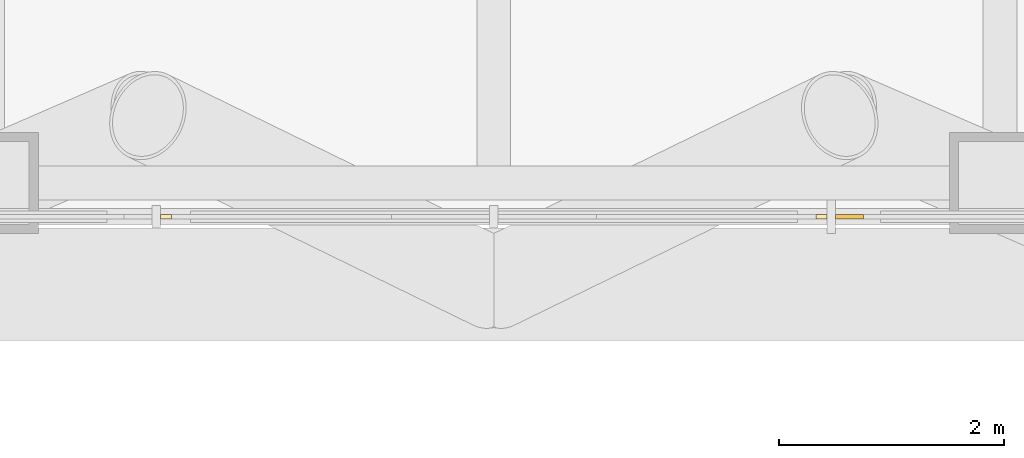
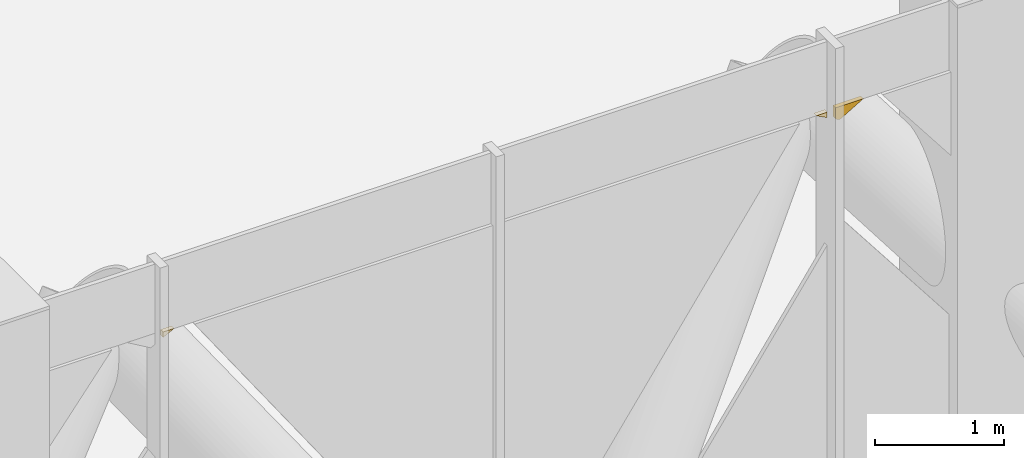
# One storey, part 19 of 26: 3 coverings.
"""IFC4 building model written with IfcOpenShell, lengths in metres."""

from ifc_helpers import new_model, si_unit, direction, frame, origin, place, context, subcontext, project, spatial, polyline, outline, extrude, material, layer, layer_set, type_object, element, save


model = new_model("IFC4")

# Units and contexts
model_context = context("Model", 3, precision=1e-05, world=origin(), true_north=direction((0.0, 1.0)))
body_context = subcontext(model_context, "Body", "Model", "MODEL_VIEW")
ifc_project = project(units=[si_unit("LENGTHUNIT", "METRE"), si_unit("AREAUNIT", "SQUARE_METRE"), si_unit("VOLUMEUNIT", "CUBIC_METRE"), si_unit("PLANEANGLEUNIT", "RADIAN"), si_unit("MASSUNIT", "GRAM", prefix="KILO")], contexts=[model_context])

# Site, building, storey
site_placement = place(None, origin())
site = spatial("IfcSite", under=ifc_project, at=site_placement, CompositionType="ELEMENT")
building_placement = place(site_placement, origin())
building = spatial("IfcBuilding", under=site, at=building_placement, Name="Malebo Sky Hospital", CompositionType="ELEMENT")
storey_placement = place(building_placement, frame((0.0, 0.0, 95.0)))
storey = spatial("IfcBuildingStorey", under=building, at=storey_placement, Name="L22", CompositionType="ELEMENT", Elevation=95.0)

# Coverings
ifc_material = material(Name="Anodised aluminium, natural silver insulated infill panel", Category="aluminium")
ifc_layer = layer(ifc_material, 0.0400390625)
ifc_layer_set = layer_set([ifc_layer], Name="BRACE INFILL PANEL 40")
covering_type = type_object("IfcCoveringType", Name="BRACE INFILL PANEL 40", PredefinedType="CLADDING", material=ifc_layer_set)
covering_1_placement = place(storey_placement, frame((63.16162109375, 36.5, 4.21337890625), z_axis=(0.0, 0.0, 1.0), x_axis=(-1.0, 0.0, 0.0)))
element("IfcCovering", 1, at=covering_1_placement, inside=storey, type_object=covering_type, Name="Brace infill panel 6.3", PredefinedType="CLADDING", context=body_context, shape_type="SweptSolid", body=[
    extrude(outline(polyline([(0.08837890625, 0.0), (0.1240234375, 0.018798828125), (0.1240234375, 0.124755859375), (-0.1240234375, 0.124755859375), (0.08837890625, 0.0)])), frame((0.0, 0.02001953125, 0.0), z_axis=(0.0, -1.0, 0.0), x_axis=(1.0, 0.0, 0.0)), (0.0, 0.0, 1.0), 0.0400390625),
])
covering_2_placement = place(storey_placement, frame((62.9140625, 36.5, 4.27197265625), z_axis=(0.0, 0.0, 1.0), x_axis=(-1.0, 0.0, 0.0)))
element("IfcCovering", 2, at=covering_2_placement, inside=storey, type_object=covering_type, Name="Brace infill panel 7.3", PredefinedType="CLADDING", context=body_context, shape_type="SweptSolid", body=[
    extrude(outline(polyline([(-0.048583984375, 0.0), (0.048583984375, 0.051513671875), (-0.048583984375, 0.051513671875), (-0.048583984375, 0.0)])), frame((0.0, 0.02001953125, 0.0), z_axis=(0.0, -1.0, 0.0), x_axis=(1.0, 0.0, 0.0)), (0.0, 0.0, 1.0), 0.0400390625),
])
covering_3_placement = place(storey_placement, frame((57.0859375, 36.5, 4.27197265625), z_axis=(0.0, 0.0, 1.0), x_axis=(-1.0, 0.0, 0.0)))
element("IfcCovering", 3, at=covering_3_placement, inside=storey, type_object=covering_type, Name="Brace infill panel 8.3", PredefinedType="CLADDING", context=body_context, shape_type="SweptSolid", body=[
    extrude(outline(polyline([(0.048583984375, 0.0), (0.048583984375, 0.051513671875), (-0.048583984375, 0.051513671875), (0.048583984375, 0.0)])), frame((0.0, 0.02001953125, 0.0), z_axis=(0.0, -1.0, 0.0), x_axis=(1.0, 0.0, 0.0)), (0.0, 0.0, 1.0), 0.0400390625),
])

save(model, "model.ifc")
